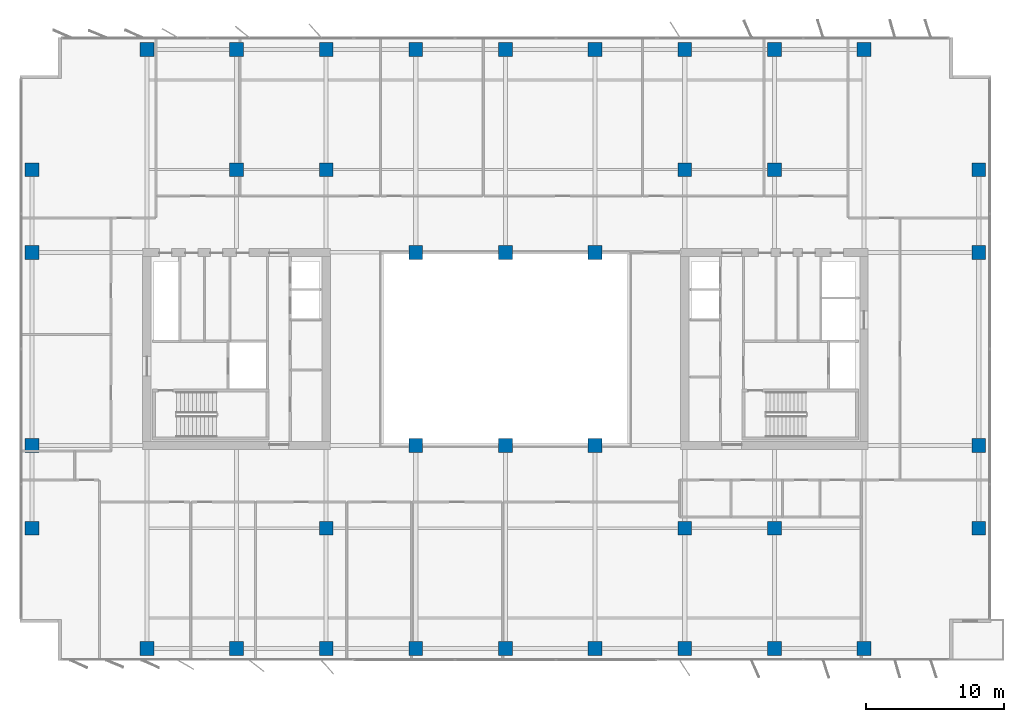
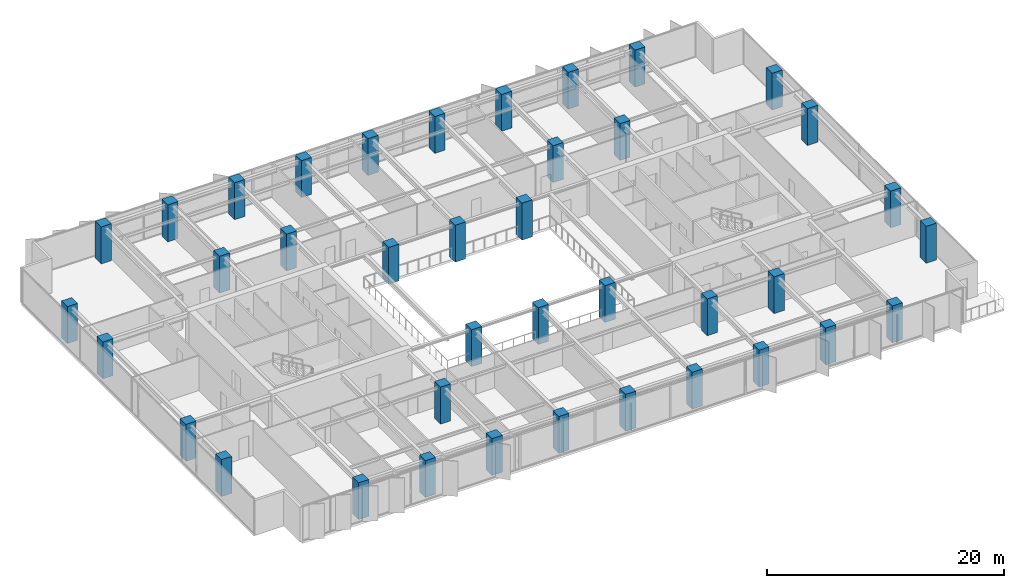
# One storey, part 1 of 22: 39 columns.
"""IFC4 building model written with IfcOpenShell, lengths in metres."""

from ifc_helpers import new_model, si_unit, direction, frame, origin, origin_2d, place, context, subcontext, project, spatial, rectangle, extrude, material, material_profile, profile_set, type_object, element, save


model = new_model("IFC4")

# Units and contexts
model_context = context("Model", 3, precision=1e-05, world=origin(), true_north=direction((0.0, 1.0)))
body_context = subcontext(model_context, "Body", "Model", "MODEL_VIEW")
ifc_project = project(units=[si_unit("LENGTHUNIT", "METRE"), si_unit("AREAUNIT", "SQUARE_METRE"), si_unit("VOLUMEUNIT", "CUBIC_METRE"), si_unit("PLANEANGLEUNIT", "RADIAN"), si_unit("MASSUNIT", "GRAM", prefix="KILO")], contexts=[model_context])

# Site, building, storey
site_placement = place(None, origin())
site = spatial("IfcSite", under=ifc_project, at=site_placement, CompositionType="ELEMENT")
building_placement = place(site_placement, origin())
building = spatial("IfcBuilding", under=site, at=building_placement, Name="Putna Gate Headquarters", CompositionType="ELEMENT")
storey_placement = place(building_placement, frame((0.0, 0.0, 182.199951171875)))
storey = spatial("IfcBuildingStorey", under=building, at=storey_placement, Name="L45", CompositionType="ELEMENT", Elevation=182.199951171875)

# Columns
ifc_material = material(Name="Concrete C50/60", Category="concrete")
ifc_material_profile_1 = material_profile(ifc_material, rectangle(XDim=1.0, YDim=1.0, at=origin_2d()), Name="Concrete C50/60")
ifc_profile_set_1 = profile_set([ifc_material_profile_1], Name="Concrete C50/60")
column_type_1 = type_object("IfcColumnType", Name="COL-RC1000-EXT", PredefinedType="COLUMN", material=ifc_profile_set_1)
for number, where, z_axis, x_axis, name in (
    (1, (13.0, 4.280029296875, 0.0), (0.0, 0.0, 1.0), (1.0, 0.0, 0.0), "L45 Column CP-S13"),
    (2, (13.0, 47.719970703125, 0.0), (0.0, 0.0, 1.0), (1.0, 0.0, 0.0), "L45 Column CP-N13"),
    (3, (19.5, 4.280029296875, 0.0), (0.0, 0.0, 1.0), (1.0, 0.0, 0.0), "L45 Column CP-S19"),
    (4, (19.5, 47.719970703125, 0.0), (0.0, 0.0, 1.0), (1.0, 0.0, 0.0), "L45 Column CP-N19"),
    (5, (26.0, 4.280029296875, 0.0), (0.0, 0.0, 1.0), (1.0, 0.0, 0.0), "L45 Column CP-S26"),
    (6, (26.0, 47.719970703125, 0.0), (0.0, 0.0, 1.0), (1.0, 0.0, 0.0), "L45 Column CP-N26"),
    (7, (32.5, 4.280029296875, 0.0), (0.0, 0.0, 1.0), (1.0, 0.0, 0.0), "L45 Column CP-S32"),
    (8, (32.5, 47.719970703125, 0.0), (0.0, 0.0, 1.0), (1.0, 0.0, 0.0), "L45 Column CP-N32"),
    (9, (39.0, 4.280029296875, 0.0), (0.0, 0.0, 1.0), (1.0, 0.0, 0.0), "L45 Column CP-S39"),
    (10, (39.0, 47.719970703125, 0.0), (0.0, 0.0, 1.0), (1.0, 0.0, 0.0), "L45 Column CP-N39"),
    (11, (45.5, 4.280029296875, 0.0), (0.0, 0.0, 1.0), (1.0, 0.0, 0.0), "L45 Column CP-S45"),
    (12, (45.5, 47.719970703125, 0.0), (0.0, 0.0, 1.0), (1.0, 0.0, 0.0), "L45 Column CP-N45"),
    (13, (52.0, 4.280029296875, 0.0), (0.0, 0.0, 1.0), (1.0, 0.0, 0.0), "L45 Column CP-S52"),
    (14, (52.0, 47.719970703125, 0.0), (0.0, 0.0, 1.0), (1.0, 0.0, 0.0), "L45 Column CP-N52"),
    (15, (58.5, 4.280029296875, 0.0), (0.0, 0.0, 1.0), (1.0, 0.0, 0.0), "L45 Column CP-S58"),
    (16, (58.5, 47.719970703125, 0.0), (0.0, 0.0, 1.0), (1.0, 0.0, 0.0), "L45 Column CP-N58"),
    (17, (65.0, 4.280029296875, 0.0), (0.0, 0.0, 1.0), (1.0, 0.0, 0.0), "L45 Column CP-S65"),
    (18, (65.0, 47.719970703125, 0.0), (0.0, 0.0, 1.0), (1.0, 0.0, 0.0), "L45 Column CP-N65"),
    (19, (4.679931640625, 13.0, 0.0), (0.0, 0.0, 1.0), (1.0, 0.0, 0.0), "L45 Column CP-W13"),
    (20, (73.320068359375, 13.0, 0.0), (0.0, 0.0, 1.0), (1.0, 0.0, 0.0), "L45 Column CP-E13"),
    (21, (4.679931640625, 19.0, 0.0), (0.0, 0.0, 1.0), (1.0, 0.0, 0.0), "L45 Column CP-W19"),
    (22, (73.320068359375, 19.0, 0.0), (0.0, 0.0, 1.0), (1.0, 0.0, 0.0), "L45 Column CP-E19"),
    (23, (4.679931640625, 33.0, 0.0), (0.0, 0.0, 1.0), (1.0, 0.0, 0.0), "L45 Column CP-W33"),
    (24, (73.320068359375, 33.0, 0.0), (0.0, 0.0, 1.0), (1.0, 0.0, 0.0), "L45 Column CP-E33"),
    (25, (4.679931640625, 39.0, 0.0), (0.0, 0.0, 1.0), (1.0, 0.0, 0.0), "L45 Column CP-W39"),
    (26, (73.320068359375, 39.0, 0.0), (0.0, 0.0, 1.0), (1.0, 0.0, 0.0), "L45 Column CP-E39"),
):
    element("IfcColumn", number, at=place(storey_placement, frame(where, z_axis=z_axis, x_axis=x_axis)), inside=storey, type_object=column_type_1, Name=name, PredefinedType="COLUMN", context=body_context, shape_type="SweptSolid", body=[
        extrude(rectangle(XDim=1.0, YDim=1.0, at=origin_2d()), origin(), (0.0, 0.0, 1.0), 3.800048828125),
    ])
ifc_material_profile_2 = material_profile(ifc_material, rectangle(XDim=1.0, YDim=1.0, at=origin_2d()), Name="Concrete C50/60")
ifc_profile_set_2 = profile_set([ifc_material_profile_2], Name="Concrete C50/60")
column_type_2 = type_object("IfcColumnType", Name="COL-RC1000-INT", PredefinedType="COLUMN", material=ifc_profile_set_2)
for number, where, z_axis, x_axis, name in (
    (27, (19.5, 39.0, 0.0), (0.0, 0.0, 1.0), (1.0, 0.0, 0.0), "L45 Column CSI-WN"),
    (28, (58.5, 13.0, 0.0), (0.0, 0.0, 1.0), (1.0, 0.0, 0.0), "L45 Column CSI-ES"),
    (29, (58.5, 39.0, 0.0), (0.0, 0.0, 1.0), (1.0, 0.0, 0.0), "L45 Column CSI-EN"),
    (30, (32.5, 19.0, 0.0), (0.0, 0.0, 1.0), (1.0, 0.0, 0.0), "L45 Column CAI-S32"),
    (31, (32.5, 33.0, 0.0), (0.0, 0.0, 1.0), (1.0, 0.0, 0.0), "L45 Column CAI-N32"),
    (32, (39.0, 19.0, 0.0), (0.0, 0.0, 1.0), (1.0, 0.0, 0.0), "L45 Column CAI-S39"),
    (33, (39.0, 33.0, 0.0), (0.0, 0.0, 1.0), (1.0, 0.0, 0.0), "L45 Column CAI-N39"),
    (34, (45.5, 19.0, 0.0), (0.0, 0.0, 1.0), (1.0, 0.0, 0.0), "L45 Column CAI-S45"),
    (35, (45.5, 33.0, 0.0), (0.0, 0.0, 1.0), (1.0, 0.0, 0.0), "L45 Column CAI-N45"),
    (36, (26.0, 13.0, 0.0), (0.0, 0.0, 1.0), (1.0, 0.0, 0.0), "L45 Column CAP-WS"),
    (37, (26.0, 39.0, 0.0), (0.0, 0.0, 1.0), (1.0, 0.0, 0.0), "L45 Column CAP-WN"),
    (38, (52.0, 13.0, 0.0), (0.0, 0.0, 1.0), (1.0, 0.0, 0.0), "L45 Column CAP-ES"),
    (39, (52.0, 39.0, 0.0), (0.0, 0.0, 1.0), (1.0, 0.0, 0.0), "L45 Column CAP-EN"),
):
    element("IfcColumn", number, at=place(storey_placement, frame(where, z_axis=z_axis, x_axis=x_axis)), inside=storey, type_object=column_type_2, Name=name, PredefinedType="COLUMN", context=body_context, shape_type="SweptSolid", body=[
        extrude(rectangle(XDim=1.0, YDim=1.0, at=origin_2d()), origin(), (0.0, 0.0, 1.0), 3.800048828125),
    ])

save(model, "model.ifc")
